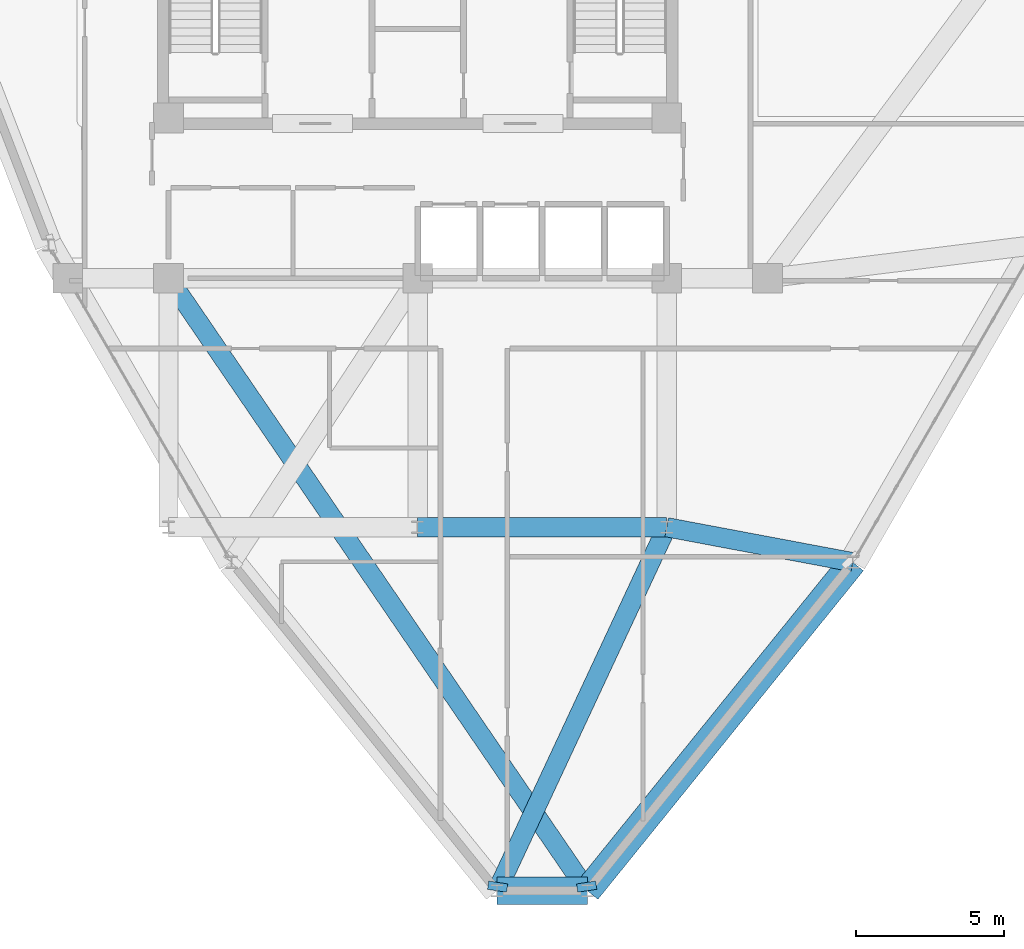
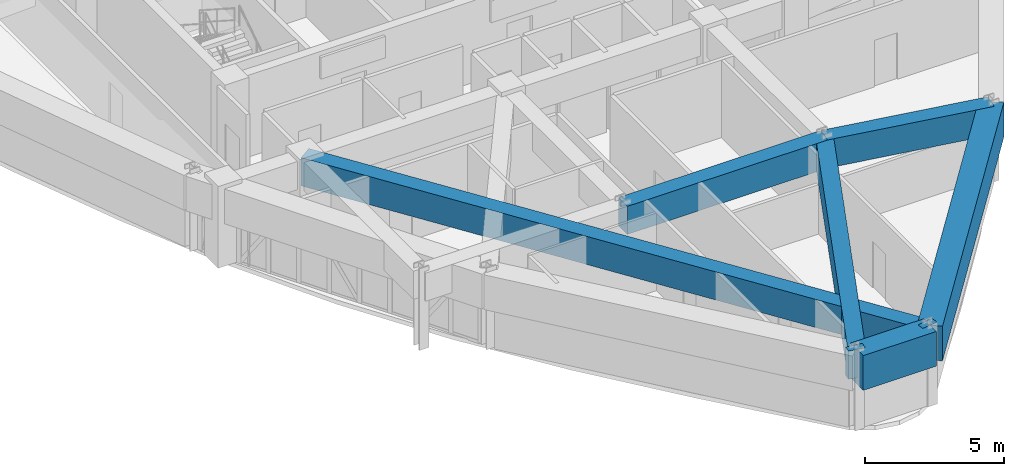
# One storey, part 3 of 16: 8 beams.
"""IFC4 building model written with IfcOpenShell, lengths in metres."""

import ifcopenshell
import ifcopenshell.guid

model = None  # the IFC model being written
_history = None  # IfcOwnerHistory: only IFC2X3 demands one
_inside = {}  # id of a spatial element -> (the spatial element, [elements in it])
_under = {}  # id of a project, library or spatial element -> (it, [spatial elements below it])
_declared = {}  # id of a project -> (the project, [libraries it declares])
_typed = {}  # id of a type object -> (the type object, [elements of that type])
_made_of = {}  # id of a material, layer set ... -> (it, [elements and type objects made of it])


def new_model(schema):
    """Start an empty IFC model of exactly this schema.

    Asked for "IFC4X3", IfcOpenShell would pick the latest addendum, in which some entities
    have other attributes; the version numbers below select the first issue.
    IFC2X3 requires an IfcOwnerHistory on every rooted entity: one is made here for all.
    """
    global model, _history
    if schema == "IFC4X3":
        model = ifcopenshell.file(schema_version=(4, 3, 0, 0))
    else:
        model = ifcopenshell.file(schema=schema)
    _inside.clear()
    _under.clear()
    _declared.clear()
    _typed.clear()
    _made_of.clear()
    _history = None
    if model.schema == "IFC2X3":
        org = make("IfcOrganization", Name="unknown")
        user = make(
            "IfcPersonAndOrganization",
            ThePerson=make("IfcPerson", FamilyName="unknown"),
            TheOrganization=org,
        )
        app = make(
            "IfcApplication",
            ApplicationDeveloper=org,
            Version="unknown",
            ApplicationFullName="unknown",
            ApplicationIdentifier="unknown",
        )
        _history = make(
            "IfcOwnerHistory",
            OwningUser=user,
            OwningApplication=app,
            ChangeAction="ADDED",
            CreationDate=0,
        )
    return model


def make(cls, **values):
    """One entity of the class cls with the attributes given. An attribute that is None is left unset."""
    return model.create_entity(
        cls, **{name: value for name, value in values.items() if value is not None}
    )


def rooted(cls, **values):
    """An entity with a GlobalId (a new one), such as an element, a storey or a relation."""
    return make(cls, GlobalId=ifcopenshell.guid.new(), OwnerHistory=_history, **values)


def si_unit(unit_type, name, prefix=None):
    """IfcSIUnit, for example si_unit("LENGTHUNIT", "METRE", prefix="MILLI")."""
    return make("IfcSIUnit", UnitType=unit_type, Prefix=prefix, Name=name)


def derived_unit(unit_type, elements):
    """IfcDerivedUnit: a product of units, each with its exponent."""
    return make(
        "IfcDerivedUnit",
        Elements=[
            make("IfcDerivedUnitElement", Unit=unit, Exponent=power)
            for unit, power in elements
        ],
        UnitType=unit_type,
    )


def assignment(units):
    """IfcUnitAssignment: the units of a project."""
    return None if units is None else make("IfcUnitAssignment", Units=units)


def point(xyz):
    """IfcCartesianPoint."""
    return None if xyz is None else make("IfcCartesianPoint", Coordinates=xyz)


def direction(xyz):
    """IfcDirection."""
    return None if xyz is None else make("IfcDirection", DirectionRatios=xyz)


def frame(location, z_axis=None, x_axis=None):
    """IfcAxis2Placement3D, a coordinate frame: its origin and axes. An axis left out is left unset."""
    return make(
        "IfcAxis2Placement3D",
        Location=point(location),
        Axis=direction(z_axis),
        RefDirection=direction(x_axis),
    )


def frame_2d(location, x_axis=None):
    """IfcAxis2Placement2D, a coordinate frame in the plane: its origin and x axis."""
    return make(
        "IfcAxis2Placement2D", Location=point(location), RefDirection=direction(x_axis)
    )


def origin():
    """The frame at (0, 0, 0) with its axes left unset."""
    return frame((0.0, 0.0, 0.0))


def origin_2d():
    """The frame at (0, 0) in the plane with its x axis left unset."""
    return frame_2d((0.0, 0.0))


def place(relative_to, where):
    """IfcLocalPlacement: puts the frame where relative to a parent placement (None: the world)."""
    return make(
        "IfcLocalPlacement", PlacementRelTo=relative_to, RelativePlacement=where
    )


def context(
    kind, dimensions, precision=None, world=None, true_north=None, identifier=None
):
    """IfcGeometricRepresentationContext, for example the 3D "Model" context."""
    return make(
        "IfcGeometricRepresentationContext",
        ContextIdentifier=identifier,
        ContextType=kind,
        CoordinateSpaceDimension=dimensions,
        Precision=precision,
        WorldCoordinateSystem=world,
        TrueNorth=true_north,
    )


def subcontext(parent, identifier, kind, view, scale=None):
    """IfcGeometricRepresentationSubContext, for example "Body" below "Model"."""
    return make(
        "IfcGeometricRepresentationSubContext",
        ContextIdentifier=identifier,
        ContextType=kind,
        ParentContext=parent,
        TargetScale=scale,
        TargetView=view,
    )


def project(units=None, contexts=None):
    """IfcProject with its units and contexts."""
    return rooted(
        "IfcProject",
        Name="project",
        RepresentationContexts=contexts,
        UnitsInContext=assignment(units),
    )


def spatial(cls, under=None, at=None, **own):
    """A site, building, storey or space (cls), placed at a placement, below another one or the project."""
    s = rooted(cls, ObjectPlacement=at, **own)
    if under is not None:
        _under.setdefault(under.id(), (under, []))[1].append(s)
    return s


def profile(cls, at=None, kind="AREA", **sizes):
    """A parametric profile (cls). Its sizes go by their IFC names, for example OverallWidth=200.0."""
    return make(cls, ProfileType=kind, Position=at, **sizes)


def rectangle(**sizes):
    """IfcRectangleProfileDef."""
    return profile("IfcRectangleProfileDef", **sizes)


def extrude(swept, where, along, depth):
    """IfcExtrudedAreaSolid: the profile swept, set in the frame where, extruded along a direction by depth."""
    return make(
        "IfcExtrudedAreaSolid",
        SweptArea=swept,
        Position=where,
        ExtrudedDirection=direction(along),
        Depth=depth,
    )


def shape(context_of_items, identifier, shape_type, items):
    """IfcShapeRepresentation: the items that make up one representation, for example the "Body"."""
    return make(
        "IfcShapeRepresentation",
        ContextOfItems=context_of_items,
        RepresentationIdentifier=identifier,
        RepresentationType=shape_type,
        Items=items,
    )


def source(mapping_origin, context_of_items, identifier, shape_type, items):
    """IfcRepresentationMap: a shape defined once, which mapped items show again and again."""
    return make(
        "IfcRepresentationMap",
        MappingOrigin=mapping_origin,
        MappedRepresentation=shape(context_of_items, identifier, shape_type, items),
    )


def transform(
    local_origin,
    x_axis=None,
    y_axis=None,
    z_axis=None,
    scale=None,
    scale2=None,
    scale3=None,
    uniform=True,
):
    """IfcCartesianTransformationOperator3D, or its non-uniform kind. x_axis, y_axis, z_axis: its Axis1, 2, 3."""
    if uniform:
        return make(
            "IfcCartesianTransformationOperator3D",
            Axis1=direction(x_axis),
            Axis2=direction(y_axis),
            LocalOrigin=point(local_origin),
            Scale=scale,
            Axis3=direction(z_axis),
        )
    return make(
        "IfcCartesianTransformationOperator3DnonUniform",
        Axis1=direction(x_axis),
        Axis2=direction(y_axis),
        LocalOrigin=point(local_origin),
        Scale=scale,
        Axis3=direction(z_axis),
        Scale2=scale2,
        Scale3=scale3,
    )


def mapped(mapping_source, mapping_target):
    """IfcMappedItem: shows the shape of a source again, moved by a transform."""
    return make(
        "IfcMappedItem", MappingSource=mapping_source, MappingTarget=mapping_target
    )


def material(Name=None, Category=None):
    """IfcMaterial."""
    return make("IfcMaterial", Name=Name, Category=Category)


def material_profile(
    of_material, cross_section, Name=None, Category=None, Priority=None
):
    """IfcMaterialProfile: a cross section and its material."""
    return make(
        "IfcMaterialProfile",
        Name=Name,
        Material=of_material,
        Profile=cross_section,
        Priority=Priority,
        Category=Category,
    )


def profile_set(profiles, Name=None, composite=None):
    """IfcMaterialProfileSet."""
    return make(
        "IfcMaterialProfileSet",
        Name=Name,
        MaterialProfiles=profiles,
        CompositeProfile=composite,
    )


def made_of(thing, what):
    """Note that an element or type object is made of a material, layer set ...; save() writes the relation."""
    if what is not None:
        _made_of.setdefault(what.id(), (what, []))[1].append(thing)
    return thing


def type_object(cls, material=None, **own):
    """A type object (cls), such as IfcWallType, which elements share."""
    return made_of(rooted(cls, **own), material)


def element(
    cls,
    number,
    at=None,
    inside=None,
    cuts=None,
    type_object=None,
    material=None,
    context=None,
    identifier="Body",
    shape_type=None,
    held_by="IfcProductDefinitionShape",
    body=None,
    shapes=None,
    **own,
):
    """One element of the class cls, such as IfcWall. Its Tag is "e" and its number.

    at: its placement. inside: the storey or other place that contains it. cuts: it is an
    opening in that element (IfcRelVoidsElement). A single representation is given by context,
    identifier, shape_type and body (its items); several are given by shapes. held_by: the class
    of the entity that holds the representations. save() writes the other relations.
    """
    e = rooted(cls, Tag="e%d" % number, ObjectPlacement=at, **own)
    if body is not None:
        shapes = [shape(context, identifier, shape_type, body)]
    if shapes is not None:
        e.Representation = make(held_by, Representations=shapes)
    if inside is not None:
        _inside.setdefault(inside.id(), (inside, []))[1].append(e)
    if cuts is not None:
        rooted(
            "IfcRelVoidsElement", RelatingBuildingElement=cuts, RelatedOpeningElement=e
        )
    if type_object is not None:
        _typed.setdefault(type_object.id(), (type_object, []))[1].append(e)
    return made_of(e, material)


def aggregate(whole, parts):
    """IfcRelAggregates: a whole, such as a stair, and the parts it consists of."""
    return rooted("IfcRelAggregates", RelatingObject=whole, RelatedObjects=parts)


def save(model, path):
    """Write the relations noted so far, then the file.

    IfcRelAggregates (storeys below a building ...), IfcRelContainedInSpatialStructure (elements
    in a storey), IfcRelDefinesByType, IfcRelAssociatesMaterial and IfcRelDeclares: one each for
    every whole, place, type object, material and project.
    """
    for whole, parts in _under.values():
        aggregate(whole, parts)
    for where, things in _inside.values():
        rooted(
            "IfcRelContainedInSpatialStructure",
            RelatedElements=things,
            RelatingStructure=where,
        )
    for kind, things in _typed.values():
        rooted("IfcRelDefinesByType", RelatedObjects=things, RelatingType=kind)
    for what, things in _made_of.values():
        rooted("IfcRelAssociatesMaterial", RelatedObjects=things, RelatingMaterial=what)
    for by, libraries in _declared.values():
        rooted("IfcRelDeclares", RelatingContext=by, RelatedDefinitions=libraries)
    model.write(path)


model = new_model("IFC4")

# Units and contexts
model_context = context("Model", 3, precision=1e-05, world=origin(), true_north=direction((0.0, 1.0)))
body_context = subcontext(model_context, "Body", "Model", "MODEL_VIEW")
ifc_project = project(units=[si_unit("LENGTHUNIT", "METRE"), si_unit("AREAUNIT", "SQUARE_METRE"), si_unit("VOLUMEUNIT", "CUBIC_METRE"), si_unit("PLANEANGLEUNIT", "RADIAN"), si_unit("MASSUNIT", "GRAM", prefix="KILO"), derived_unit("THERMALTRANSMITTANCEUNIT", [(si_unit("POWERUNIT", "WATT"), 1), (si_unit("LENGTHUNIT", "METRE"), -2), (si_unit("THERMODYNAMICTEMPERATUREUNIT", "KELVIN"), -1)])], contexts=[model_context])

# Site, building, storey
site_placement = place(None, origin())
site = spatial("IfcSite", under=ifc_project, at=site_placement, CompositionType="ELEMENT")
building_placement = place(site_placement, origin())
building = spatial("IfcBuilding", under=site, at=building_placement, Name="Korsvarv Bourse and Concert Hall", CompositionType="ELEMENT")
storey_placement = place(building_placement, frame((0.0, 0.0, 213.0)))
storey = spatial("IfcBuildingStorey", under=building, at=storey_placement, Name="L55", CompositionType="ELEMENT", Elevation=213.0)

# Beams
ifc_material = material(Name="Concrete C50/60", Category="concrete")
ifc_material_profile_1 = material_profile(ifc_material, rectangle(XDim=0.64990234375, YDim=1.239990234375, at=origin_2d()), Name="RC-BM 650x1240")
ifc_profile_set_1 = profile_set([ifc_material_profile_1], Name="Concrete C50/60")
beam_type_1 = type_object("IfcBeamType", Name="BM-TR-SPN", PredefinedType="BEAM", material=ifc_profile_set_1)
shared_shape_1 = source(origin(), body_context, "Body", "SweptSolid", [
    extrude(rectangle(XDim=0.64990234375, YDim=1.239990234375, at=origin_2d()), origin(), (0.0, 0.0, 1.0), 8.39990234375),
])
beam_1_placement = place(storey_placement, frame((36.0, 24.0, 2.7900390625), z_axis=(1.0, 0.0, 0.0), x_axis=(0.0, 1.0, 0.0)))
element("IfcBeam", 1, at=beam_1_placement, inside=storey, type_object=beam_type_1, Name="L55 beam B-TRS", PredefinedType="BEAM", context=body_context, shape_type="MappedRepresentation", body=[
    mapped(shared_shape_1, transform((0.0, 0.0, 0.0), scale=1.0)),
])
ifc_material_profile_2 = material_profile(ifc_material, rectangle(XDim=0.919921875, YDim=1.530029296875, at=origin_2d()), Name="RC-BM 920x1530")
ifc_profile_set_2 = profile_set([ifc_material_profile_2], Name="Concrete C50/60")
beam_type_2 = type_object("IfcBeamType", Name="BM-TR-154", PredefinedType="BEAM", material=ifc_profile_set_2)
shared_shape_2 = source(origin(), body_context, "Body", "SweptSolid", [
    extrude(rectangle(XDim=0.919921875, YDim=1.530029296875, at=origin_2d()), origin(), (0.0, 0.0, 1.0), 3.044189453125),
])
beam_2_placement = place(storey_placement, frame((38.677978515625, 11.74072265625, 2.64501953125), z_axis=(1.0, 0.0, 0.0), x_axis=(0.0, 1.0, 0.0)))
element("IfcBeam", 2, at=beam_2_placement, inside=storey, type_object=beam_type_2, Name="L55 beam B-TR6", PredefinedType="BEAM", context=body_context, shape_type="MappedRepresentation", body=[
    mapped(shared_shape_2, transform((0.0, 0.0, 0.0), scale=1.0)),
])
shared_shape_3 = source(origin(), body_context, "Body", "SweptSolid", [
    extrude(rectangle(XDim=0.919921875, YDim=1.530029296875, at=origin_2d()), origin(), (0.0, 0.0, 1.0), 14.24462890625),
])
beam_3_placement = place(storey_placement, frame((41.72216796875, 11.74072265625, 2.64501953125), z_axis=(0.628514621162, 0.77779776998, 0.0), x_axis=(-0.77779776998, 0.628514621162, 0.0)))
element("IfcBeam", 3, at=beam_3_placement, inside=storey, type_object=beam_type_2, Name="L55 beam B-TR6", PredefinedType="BEAM", context=body_context, shape_type="MappedRepresentation", body=[
    mapped(shared_shape_3, transform((0.0, 0.0, 0.0), scale=1.0)),
])
shared_shape_4 = source(origin(), body_context, "Body", "SweptSolid", [
    extrude(rectangle(XDim=0.64990234375, YDim=1.239990234375, at=origin_2d()), origin(), (0.0, 0.0, 1.0), 13.52880859375),
])
beam_4_placement = place(storey_placement, frame((38.677978515625, 11.74072265625, 2.7900390625), z_axis=(0.422941775628, 0.906156859726, 0.0), x_axis=(-0.906156859726, 0.422941775628, 0.0)))
element("IfcBeam", 4, at=beam_4_placement, inside=storey, type_object=beam_type_1, Name="L55 beam B-TRS", PredefinedType="BEAM", context=body_context, shape_type="MappedRepresentation", body=[
    mapped(shared_shape_4, transform((0.0, 0.0, 0.0), scale=1.0)),
])
shared_shape_5 = source(origin(), body_context, "Body", "SweptSolid", [
    extrude(rectangle(XDim=0.64990234375, YDim=1.239990234375, at=origin_2d()), origin(), (0.0, 0.0, 1.0), 25.024658203125),
])
beam_5_placement = place(storey_placement, frame((41.72216796875, 11.74072265625, 2.7900390625), z_axis=(-0.564325725402, 0.825552224665, 0.0), x_axis=(-0.825552224665, -0.564325725402, 0.0)))
element("IfcBeam", 5, at=beam_5_placement, inside=storey, type_object=beam_type_1, Name="L55 beam B-TRS", PredefinedType="BEAM", context=body_context, shape_type="MappedRepresentation", body=[
    mapped(shared_shape_5, transform((0.0, 0.0, 0.0), scale=1.0)),
])
shared_shape_6 = source(origin(), body_context, "Body", "SweptSolid", [
    extrude(rectangle(XDim=0.64990234375, YDim=1.239990234375, at=origin_2d()), origin(), (0.0, 0.0, 1.0), 6.385009765625),
])
beam_6_placement = place(storey_placement, frame((50.675048828125, 22.820068359375, 2.7900390625), z_axis=(-0.982777260735, 0.184794090228, 0.0), x_axis=(-0.184794090228, -0.982777260735, 0.0)))
element("IfcBeam", 6, at=beam_6_placement, inside=storey, type_object=beam_type_1, Name="L55 beam B-TRS", PredefinedType="BEAM", context=body_context, shape_type="MappedRepresentation", body=[
    mapped(shared_shape_6, transform((0.0, 0.0, 0.0), scale=1.0)),
])
shared_shape_7 = source(origin(), body_context, "Body", "SweptSolid", [
    extrude(rectangle(XDim=0.64990234375, YDim=1.239990234375, at=origin_2d()), origin(), (0.0, 0.0, 1.0), 0.28271484375),
])
for number, where, z_axis, x_axis, name in (
    (7, (38.677978515625, 11.74072265625, 2.7900390625), (0.149396066547, 0.988777434664, 0.0), (-0.988777434664, 0.149396066547, 0.0), "L55 beam B-TRS"),
    (8, (41.72216796875, 11.74072265625, 2.7900390625), (-0.150240189981, 0.988649526027, 0.0), (-0.988649526027, -0.150240189981, 0.0), "L55 beam B-TRS"),
):
    element("IfcBeam", number, at=place(storey_placement, frame(where, z_axis=z_axis, x_axis=x_axis)), inside=storey, type_object=beam_type_1, Name=name, PredefinedType="BEAM", context=body_context, shape_type="MappedRepresentation", body=[
        mapped(shared_shape_7, transform((0.0, 0.0, 0.0), scale=1.0)),
    ])

save(model, "model.ifc")
